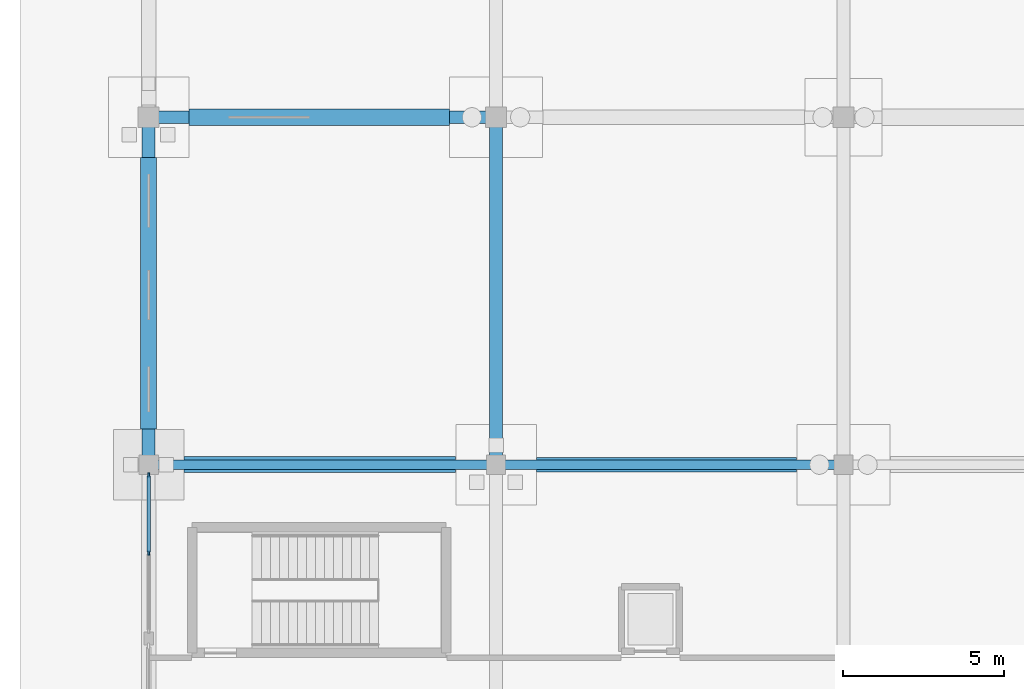
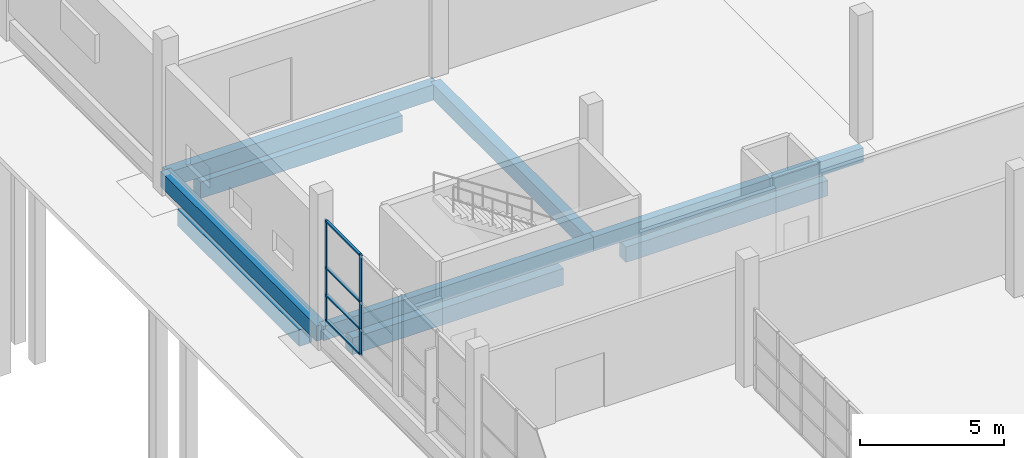
# One storey, part 47 of 138: 9 beams, 6 members, 1 element without a shape of its own.
"""IFC4 building model written with IfcOpenShell, lengths in metres."""

from ifc_helpers import new_model, si_unit, direction, frame, origin, origin_2d, place, context, subcontext, project, spatial, rectangle, extrude, material, material_profile, profile_set, type_object, element, aggregate, save


model = new_model("IFC4")

# Units and contexts
model_context = context("Model", 3, precision=1e-05, world=origin(), true_north=direction((0.0, 1.0)))
body_context = subcontext(model_context, "Body", "Model", "MODEL_VIEW")
ifc_project = project(units=[si_unit("LENGTHUNIT", "METRE"), si_unit("AREAUNIT", "SQUARE_METRE"), si_unit("VOLUMEUNIT", "CUBIC_METRE"), si_unit("PLANEANGLEUNIT", "RADIAN"), si_unit("MASSUNIT", "GRAM", prefix="KILO")], contexts=[model_context])

# Site, building, storey
site_placement = place(None, origin())
site = spatial("IfcSite", under=ifc_project, at=site_placement, CompositionType="ELEMENT")
building_placement = place(site_placement, origin())
building = spatial("IfcBuilding", under=site, at=building_placement, Name="Zwinboog Wholesale Market", CompositionType="ELEMENT")
storey_placement = place(building_placement, origin())
storey = spatial("IfcBuildingStorey", under=building, at=storey_placement, Name="L00", CompositionType="ELEMENT", Elevation=0.0)

# Beams
ifc_material_1 = material(Name="Precast concrete C45/55", Category="concrete")
ifc_material_profile_1 = material_profile(ifc_material_1, rectangle(XDim=0.39990234375, YDim=0.64990234375, at=origin_2d()), Name="PC 400x650")
ifc_profile_set_1 = profile_set([ifc_material_profile_1], Name="Precast concrete C45/55")
beam_type_1 = type_object("IfcBeamType", Name="BT-05", PredefinedType="BEAM", material=ifc_profile_set_1)
for number, where, z_axis, x_axis, name in (
    (1, (0.0, 108.0, -0.705078125), (1.0, 0.0, 0.0), (0.0, 1.0, 0.0), "BG-05 (BMG-L00-0000-1080-0151)"),
    (2, (0.0, 97.199951171875, -0.705078125), (0.0, 1.0, 0.0), (-1.0, 0.0, 0.0), "BG-05 (BMG-L00-0000-0972-0220)"),
    (3, (10.800048828125, 97.199951171875, -0.705078125), (0.0, 1.0, 0.0), (-1.0, 0.0, 0.0), "BG-05 (BMG-L00-0108-0972-0232)"),
):
    element("IfcBeam", number, at=place(storey_placement, frame(where, z_axis=z_axis, x_axis=x_axis)), inside=storey, type_object=beam_type_1, Name=name, PredefinedType="BEAM", context=body_context, shape_type="SweptSolid", body=[
        extrude(rectangle(XDim=0.39990234375, YDim=0.64990234375, at=origin_2d()), origin(), (0.0, 0.0, 1.0), 10.800048828125),
    ])
ifc_material_profile_2 = material_profile(ifc_material_1, rectangle(XDim=0.300048828125, YDim=0.60009765625, at=origin_2d()), Name="PC 300x600")
ifc_profile_set_2 = profile_set([ifc_material_profile_2], Name="Precast concrete C45/55")
beam_type_2 = type_object("IfcBeamType", Name="BT-09", PredefinedType="SPANDREL", material=ifc_profile_set_2)
for number, where, z_axis, x_axis, name in (
    (4, (0.0, 97.199951171875, -0.679931640625), (1.0, 0.0, 0.0), (0.0, 1.0, 0.0), "SP-02 (BMG-L00-0000-0972-0131)"),
    (5, (10.800048828125, 97.199951171875, -0.679931640625), (1.0, 0.0, 0.0), (0.0, 1.0, 0.0), "SP-02 (BMG-L00-0108-0972-0132)"),
):
    element("IfcBeam", number, at=place(storey_placement, frame(where, z_axis=z_axis, x_axis=x_axis)), inside=storey, type_object=beam_type_2, Name=name, PredefinedType="SPANDREL", context=body_context, shape_type="SweptSolid", body=[
        extrude(rectangle(XDim=0.300048828125, YDim=0.60009765625, at=origin_2d()), origin(), (0.0, 0.0, 1.0), 10.800048828125),
    ])
ifc_material_2 = material(Name="Concrete C35/45", Category="concrete")
ifc_material_profile_3 = material_profile(ifc_material_2, rectangle(XDim=0.5, YDim=0.699951171875, at=origin_2d()), Name="RC 500x700")
ifc_profile_set_3 = profile_set([ifc_material_profile_3], Name="Concrete C35/45")
beam_type_3 = type_object("IfcBeamType", Name="BT-12", PredefinedType="USERDEFINED", material=ifc_profile_set_3)
beam_1_placement = place(storey_placement, frame((1.10498046875, 97.199951171875, -1.550048828125), z_axis=(1.0, 0.0, 0.0), x_axis=(0.0, 1.0, 0.0)))
element("IfcBeam", 6, at=beam_1_placement, inside=storey, type_object=beam_type_3, Name="GB-01 (BM-GB-0067)", ObjectType="GROUND_BEAM", PredefinedType="USERDEFINED", context=body_context, shape_type="SweptSolid", body=[
    extrude(rectangle(XDim=0.5, YDim=0.699951171875, at=origin_2d()), origin(), (0.0, 0.0, 1.0), 8.43994140625),
])
beam_2_placement = place(storey_placement, frame((1.2548828125, 108.0, -1.550048828125), z_axis=(1.0, 0.0, 0.0), x_axis=(0.0, 1.0, 0.0)))
element("IfcBeam", 7, at=beam_2_placement, inside=storey, type_object=beam_type_3, Name="GB-01 (BM-GB-0087)", ObjectType="GROUND_BEAM", PredefinedType="USERDEFINED", context=body_context, shape_type="SweptSolid", body=[
    extrude(rectangle(XDim=0.5, YDim=0.699951171875, at=origin_2d()), origin(), (0.0, 0.0, 1.0), 8.090087890625),
])
beam_3_placement = place(storey_placement, frame((0.0, 98.304931640625, -1.550048828125), z_axis=(0.0, 1.0, 0.0), x_axis=(-1.0, 0.0, 0.0)))
element("IfcBeam", 8, at=beam_3_placement, inside=storey, type_object=beam_type_3, Name="GB-01 (BM-GB-0136)", ObjectType="GROUND_BEAM", PredefinedType="USERDEFINED", context=body_context, shape_type="SweptSolid", body=[
    extrude(rectangle(XDim=0.5, YDim=0.699951171875, at=origin_2d()), origin(), (0.0, 0.0, 1.0), 8.440185546875),
])
ifc_material_profile_4 = material_profile(ifc_material_2, rectangle(XDim=0.449951171875, YDim=0.64990234375, at=origin_2d()), Name="RC 450x650")
ifc_profile_set_4 = profile_set([ifc_material_profile_4], Name="Concrete C35/45")
beam_type_4 = type_object("IfcBeamType", Name="BT-13", PredefinedType="USERDEFINED", material=ifc_profile_set_4)
beam_4_placement = place(storey_placement, frame((12.054931640625, 97.199951171875, -1.52490234375), z_axis=(1.0, 0.0, 0.0), x_axis=(0.0, 1.0, 0.0)))
element("IfcBeam", 9, at=beam_4_placement, inside=storey, type_object=beam_type_4, Name="GB-02 (BM-GB-0068)", ObjectType="GROUND_BEAM", PredefinedType="USERDEFINED", context=body_context, shape_type="SweptSolid", body=[
    extrude(rectangle(XDim=0.449951171875, YDim=0.64990234375, at=origin_2d()), origin(), (0.0, 0.0, 1.0), 8.090087890625),
])

# Curtain wall, members
ifc_material_3 = material(Name="Aluminium thermally broken curtain wall", Category="aluminium")
curtain_wall_type = type_object("IfcCurtainWallType", Name="CWT-GAL-16", PredefinedType="USERDEFINED", material=ifc_material_3)
curtain_wall_placement = place(storey_placement, origin())
curtain_wall = element("IfcCurtainWall", 10, at=curtain_wall_placement, inside=storey, type_object=curtain_wall_type, Name="CW-04 (CW-L00-016)", ObjectType="UNITIZED_CURTAIN_WALL", PredefinedType="USERDEFINED")
ifc_material_4 = material(Name="Aluminium EN AW-6060", Category="aluminium")
ifc_material_profile_5 = material_profile(ifc_material_4, rectangle(XDim=0.06005859375, YDim=0.14990234375, at=origin_2d()), Name="AL 60x150")
ifc_profile_set_5 = profile_set([ifc_material_profile_5], Name="Aluminium EN AW-6060")
member_type_1 = type_object("IfcMemberType", Name="CWM-60x150", PredefinedType="MULLION", material=ifc_profile_set_5)
member_1_placement = place(storey_placement, frame((0.0, 94.452392578125, 0.0), z_axis=(0.0, 0.0, 1.0), x_axis=(-1.0, 0.0, 0.0)))
member_1 = element("IfcMember", 11, at=member_1_placement, type_object=member_type_1, Name="CW-04 mullion 2", PredefinedType="MULLION", context=body_context, shape_type="SweptSolid", body=[
    extrude(rectangle(XDim=0.06005859375, YDim=0.14990234375, at=origin_2d()), origin(), (0.0, 0.0, 1.0), 4.25),
])
member_2_placement = place(storey_placement, frame((0.0, 96.875, 0.0), z_axis=(0.0, 0.0, 1.0), x_axis=(-1.0, 0.0, 0.0)))
member_2 = element("IfcMember", 12, at=member_2_placement, type_object=member_type_1, Name="CW-04 mullion 3", PredefinedType="MULLION", context=body_context, shape_type="SweptSolid", body=[
    extrude(rectangle(XDim=0.06005859375, YDim=0.14990234375, at=origin_2d()), origin(), (0.0, 0.0, 1.0), 4.25),
])
ifc_material_profile_6 = material_profile(ifc_material_4, rectangle(XDim=0.110107421875, YDim=0.06005859375, at=origin_2d()), Name="AL 60x110")
ifc_profile_set_6 = profile_set([ifc_material_profile_6], Name="Aluminium EN AW-6060")
member_type_2 = type_object("IfcMemberType", Name="CWT-60x110", PredefinedType="USERDEFINED", material=ifc_profile_set_6)
member_3_placement = place(storey_placement, frame((0.0, 94.482421875, 0.030029296875), z_axis=(0.0, 1.0, 0.0), x_axis=(-1.0, 0.0, 0.0)))
member_3 = element("IfcMember", 13, at=member_3_placement, type_object=member_type_2, Name="CW-04 transom 2.1", ObjectType="TRANSOM", PredefinedType="USERDEFINED", context=body_context, shape_type="SweptSolid", body=[
    extrude(rectangle(XDim=0.110107421875, YDim=0.06005859375, at=origin_2d()), origin(), (0.0, 0.0, 1.0), 2.362548828125),
])
member_4_placement = place(storey_placement, frame((0.0, 94.482421875, 1.10009765625), z_axis=(0.0, 1.0, 0.0), x_axis=(-1.0, 0.0, 0.0)))
member_4 = element("IfcMember", 14, at=member_4_placement, type_object=member_type_2, Name="CW-04 transom 2.2", ObjectType="TRANSOM", PredefinedType="USERDEFINED", context=body_context, shape_type="SweptSolid", body=[
    extrude(rectangle(XDim=0.110107421875, YDim=0.06005859375, at=origin_2d()), origin(), (0.0, 0.0, 1.0), 2.362548828125),
])
member_5_placement = place(storey_placement, frame((0.0, 94.482421875, 2.25), z_axis=(0.0, 1.0, 0.0), x_axis=(-1.0, 0.0, 0.0)))
member_5 = element("IfcMember", 15, at=member_5_placement, type_object=member_type_2, Name="CW-04 transom 2.3", ObjectType="TRANSOM", PredefinedType="USERDEFINED", context=body_context, shape_type="SweptSolid", body=[
    extrude(rectangle(XDim=0.110107421875, YDim=0.06005859375, at=origin_2d()), origin(), (0.0, 0.0, 1.0), 2.362548828125),
])
member_6_placement = place(storey_placement, frame((0.0, 94.482421875, 4.219970703125), z_axis=(0.0, 1.0, 0.0), x_axis=(-1.0, 0.0, 0.0)))
member_6 = element("IfcMember", 16, at=member_6_placement, type_object=member_type_2, Name="CW-04 transom 2.4", ObjectType="TRANSOM", PredefinedType="USERDEFINED", context=body_context, shape_type="SweptSolid", body=[
    extrude(rectangle(XDim=0.110107421875, YDim=0.06005859375, at=origin_2d()), origin(), (0.0, 0.0, 1.0), 2.362548828125),
])
aggregate(curtain_wall, [member_1, member_2, member_3, member_4, member_5, member_6])

save(model, "model.ifc")
